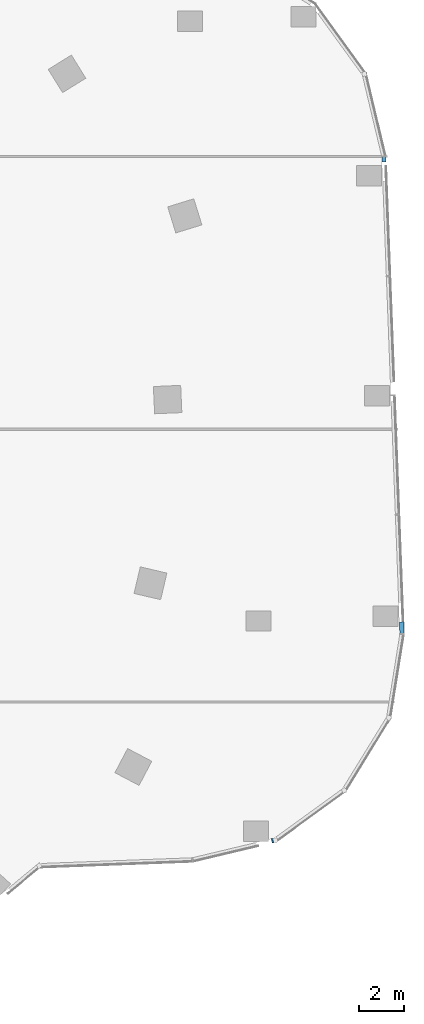
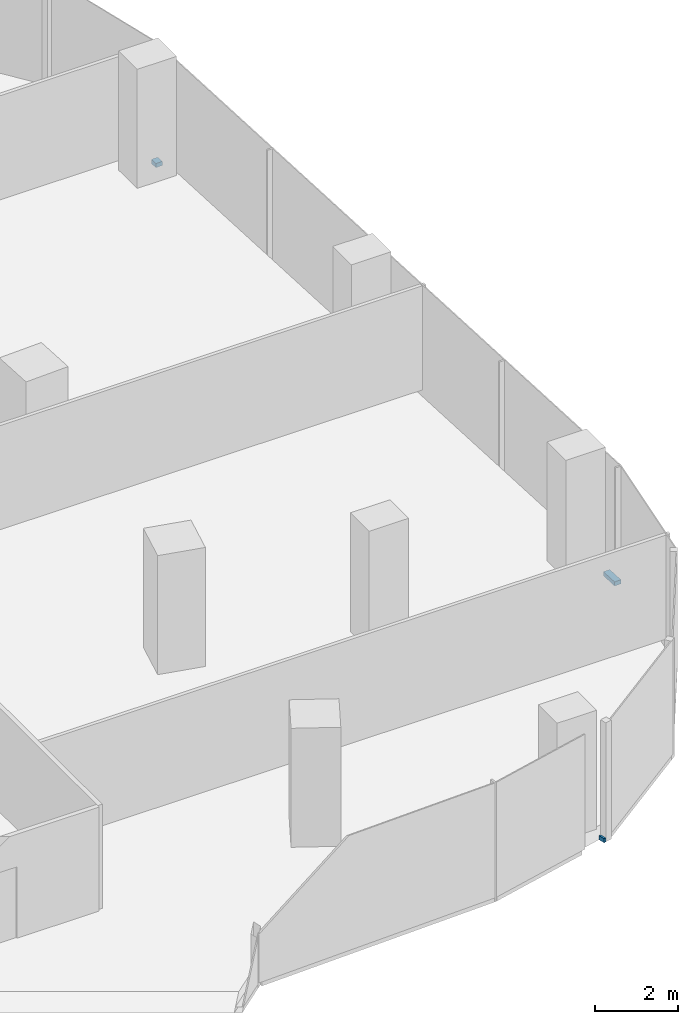
# One storey, part 13 of 24: 3 members, 2 elements without a shape of their own.
"""IFC4 building model written with IfcOpenShell, lengths in metres."""

from ifc_helpers import new_model, si_unit, direction, frame, origin, origin_2d, place, context, subcontext, project, spatial, rectangle, extrude, material, material_profile, profile_set, type_object, element, aggregate, save


model = new_model("IFC4")

# Units and contexts
model_context = context("Model", 3, precision=1e-05, world=origin(), true_north=direction((0.0, 1.0)))
body_context = subcontext(model_context, "Body", "Model", "MODEL_VIEW")
ifc_project = project(units=[si_unit("LENGTHUNIT", "METRE"), si_unit("AREAUNIT", "SQUARE_METRE"), si_unit("VOLUMEUNIT", "CUBIC_METRE"), si_unit("PLANEANGLEUNIT", "RADIAN"), si_unit("MASSUNIT", "GRAM", prefix="KILO")], contexts=[model_context])

# Site, building, storey
site_placement = place(None, origin())
site = spatial("IfcSite", under=ifc_project, at=site_placement, CompositionType="ELEMENT")
building_placement = place(site_placement, origin())
building = spatial("IfcBuilding", under=site, at=building_placement, Name="Orlundy Tower", CompositionType="ELEMENT")
storey_placement = place(building_placement, frame((0.0, 0.0, 174.10009765625)))
storey = spatial("IfcBuildingStorey", under=building, at=storey_placement, Name="L45", CompositionType="ELEMENT", Elevation=174.10009765625)

# Curtain wall, members
ifc_material_1 = material(Name="Aluminium bronze anodised", Category="aluminium")
curtain_wall_type = type_object("IfcCurtainWallType", Name="CW1 wall", PredefinedType="NOTDEFINED", material=ifc_material_1)
curtain_wall_1_placement = place(storey_placement, origin())
curtain_wall_1 = element("IfcCurtainWall", 1, at=curtain_wall_1_placement, inside=storey, type_object=curtain_wall_type, Name="CW1 run 011", PredefinedType="NOTDEFINED")
ifc_material_2 = material(Name="Aluminium bronze anodised", Category="aluminium")
ifc_material_profile = material_profile(ifc_material_2, rectangle(XDim=0.179931640625, YDim=0.1201171875, at=origin_2d()), Name="CW1 transom 180x120")
ifc_profile_set = profile_set([ifc_material_profile], Name="Aluminium bronze anodised")
member_type = type_object("IfcMemberType", Name="CW1 transom 180x120", PredefinedType="USERDEFINED", material=ifc_profile_set)
member_1_placement = place(storey_placement, frame((39.16552734375, 11.97314453125, -0.360107421875), z_axis=(0.03847790186, -0.999259451328, 0.0), x_axis=(0.999259451328, 0.03847790186, 0.0)))
member_1 = element("IfcMember", 2, at=member_1_placement, type_object=member_type, Name="CW1 transom", ObjectType="TRANSOM", PredefinedType="USERDEFINED", context=body_context, shape_type="SweptSolid", body=[
    extrude(rectangle(XDim=0.179931640625, YDim=0.1201171875, at=origin_2d()), origin(), (0.0, 0.0, 1.0), 0.20947265625),
])
member_2_placement = place(storey_placement, frame((39.93896484375, -8.46875, -0.360107421875), z_axis=(0.037754030575, -0.999287062448, 0.0), x_axis=(0.999287062448, 0.037754030575, 0.0)))
member_2 = element("IfcMember", 3, at=member_2_placement, type_object=member_type, Name="CW1 transom", ObjectType="TRANSOM", PredefinedType="USERDEFINED", context=body_context, shape_type="SweptSolid", body=[
    extrude(rectangle(XDim=0.179931640625, YDim=0.1201171875, at=origin_2d()), origin(), (0.0, 0.0, 1.0), 0.5107421875),
])
aggregate(curtain_wall_1, [member_1, member_2])

# Curtain wall, member
curtain_wall_2_placement = place(storey_placement, origin())
curtain_wall_2 = element("IfcCurtainWall", 4, at=curtain_wall_2_placement, inside=storey, type_object=curtain_wall_type, Name="CW1 run 015", PredefinedType="NOTDEFINED")
member_3_placement = place(storey_placement, frame((34.290771484375, -18.09521484375, -0.360107421875), z_axis=(-0.972115733093, -0.234501602281, 0.0), x_axis=(0.234501602281, -0.972115733093, 0.0)))
member_3 = element("IfcMember", 5, at=member_3_placement, type_object=member_type, Name="CW1 transom", ObjectType="TRANSOM", PredefinedType="USERDEFINED", context=body_context, shape_type="SweptSolid", body=[
    extrude(rectangle(XDim=0.179931640625, YDim=0.1201171875, at=origin_2d()), origin(), (0.0, 0.0, 1.0), 0.057373046875),
])
aggregate(curtain_wall_2, [member_3])

save(model, "model.ifc")
